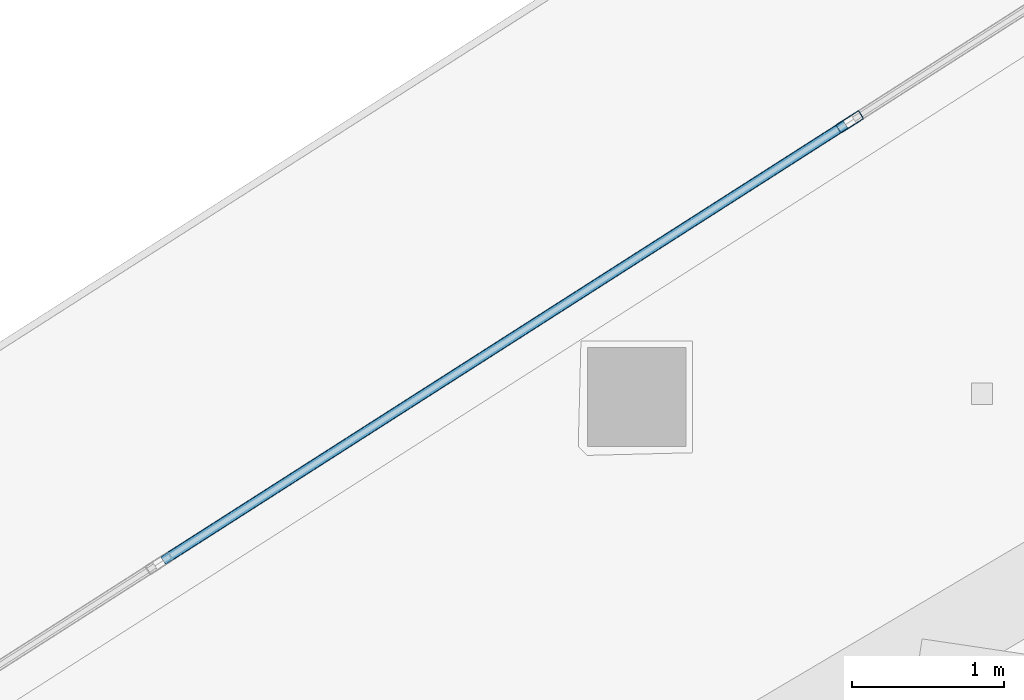
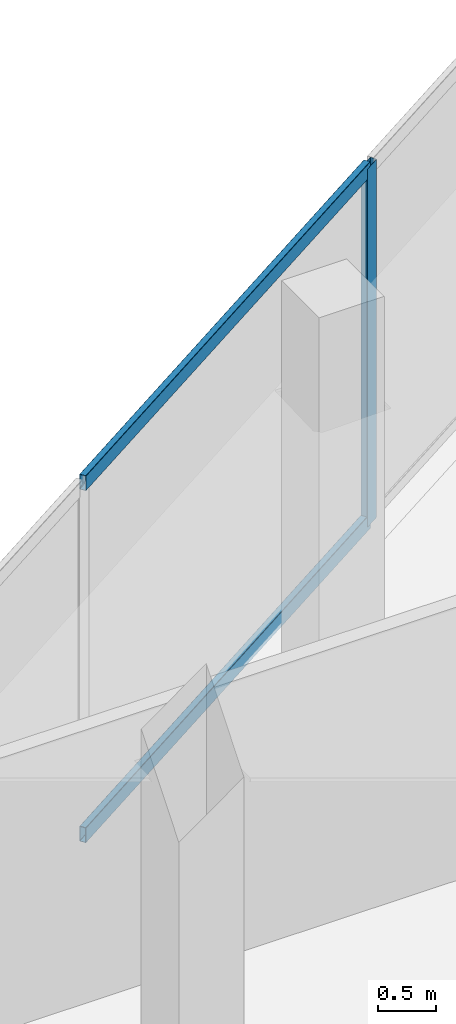
# One storey, part 13 of 38: 3 members, 1 element without a shape of its own.
"""IFC4 building model written with IfcOpenShell, lengths in metres."""

from ifc_helpers import new_model, si_unit, direction, frame, origin, origin_2d, place, context, subcontext, project, spatial, hollow_rectangle, extrude, material, layer, layer_set, material_profile, profile_set, type_object, element, aggregate, save


model = new_model("IFC4")

# Units and contexts
model_context = context("Model", 3, precision=1e-05, world=origin(), true_north=direction((0.0, 1.0)))
body_context = subcontext(model_context, "Body", "Model", "MODEL_VIEW")
ifc_project = project(units=[si_unit("LENGTHUNIT", "METRE"), si_unit("AREAUNIT", "SQUARE_METRE"), si_unit("VOLUMEUNIT", "CUBIC_METRE"), si_unit("PLANEANGLEUNIT", "RADIAN"), si_unit("MASSUNIT", "GRAM", prefix="KILO")], contexts=[model_context])

# Site, building, storey
site_placement = place(None, origin())
site = spatial("IfcSite", under=ifc_project, at=site_placement, CompositionType="ELEMENT")
building_placement = place(site_placement, origin())
building = spatial("IfcBuilding", under=site, at=building_placement, Name="Qorvath Tower", CompositionType="ELEMENT")
storey_placement = place(building_placement, frame((0.0, 0.0, 146.25)))
storey = spatial("IfcBuildingStorey", under=building, at=storey_placement, Name="L33", CompositionType="ELEMENT", Elevation=146.25)

# Curtain wall, members
ifc_material_1 = material(Name="Anodised aluminium and triple low-E glass", Category="aluminium")
ifc_layer = layer(ifc_material_1, 0.179931640625)
ifc_layer_set = layer_set([ifc_layer], Name="CW-SYS-3")
curtain_wall_type = type_object("IfcCurtainWallType", Name="CW-SYS-3", PredefinedType="NOTDEFINED", material=ifc_layer_set)
curtain_wall_placement = place(storey_placement, origin())
curtain_wall = element("IfcCurtainWall", 1, at=curtain_wall_placement, inside=storey, type_object=curtain_wall_type, Name="Curtain Wall CW-3 CW-T-L33-16.1", PredefinedType="NOTDEFINED")
ifc_material_2 = material(Name="Anodised aluminium 6063-T6", Category="aluminium")
ifc_material_profile_1 = material_profile(ifc_material_2, hollow_rectangle(XDim=0.06494140625, YDim=0.179931640625, WallThickness=0.00341796875, InnerFilletRadius=0.00341796875, OuterFilletRadius=0.007080078125, at=origin_2d()), Name="CWM 180x65")
ifc_profile_set_1 = profile_set([ifc_material_profile_1], Name="Anodised aluminium 6063-T6")
member_type_1 = type_object("IfcMemberType", Name="CWM-180", PredefinedType="MULLION", material=ifc_profile_set_1)
member_1_placement = place(storey_placement, frame((-43.332763671875, 12.465087890625, 0.0), z_axis=(0.0, 0.0, 1.0), x_axis=(0.53853296968, -0.842604438967, 0.0)))
member_1 = element("IfcMember", 2, at=member_1_placement, type_object=member_type_1, Name="CW-3 mullion 7", PredefinedType="MULLION", context=body_context, shape_type="SweptSolid", body=[
    extrude(hollow_rectangle(XDim=0.06494140625, YDim=0.179931640625, WallThickness=0.00341796875, InnerFilletRadius=0.00341796875, OuterFilletRadius=0.007080078125, at=origin_2d()), origin(), (0.0, 0.0, 1.0), 3.780029296875),
])
ifc_material_3 = material(Name="Anodised aluminium 6063-T6", Category="aluminium")
ifc_material_profile_2 = material_profile(ifc_material_3, hollow_rectangle(XDim=0.06494140625, YDim=0.159912109375, WallThickness=0.00341796875, InnerFilletRadius=0.00341796875, OuterFilletRadius=0.007080078125, at=origin_2d()), Name="CWT 160x65")
ifc_profile_set_2 = profile_set([ifc_material_profile_2], Name="Anodised aluminium 6063-T6")
member_type_2 = type_object("IfcMemberType", Name="CWT-160", PredefinedType="USERDEFINED", material=ifc_profile_set_2)
member_2_placement = place(storey_placement, frame((-43.360107421875, 12.44775390625, 0.032470703125), z_axis=(-0.842608601225, -0.538526457234, 0.0), x_axis=(0.538526457234, -0.842608601225, 0.0)))
member_2 = element("IfcMember", 3, at=member_2_placement, type_object=member_type_2, Name="CW-3 transom 7.1", ObjectType="TRANSOM", PredefinedType="USERDEFINED", context=body_context, shape_type="SweptSolid", body=[
    extrude(hollow_rectangle(XDim=0.06494140625, YDim=0.159912109375, WallThickness=0.00341796875, InnerFilletRadius=0.00341796875, OuterFilletRadius=0.007080078125, at=origin_2d()), origin(), (0.0, 0.0, 1.0), 5.3359375),
])
member_3_placement = place(storey_placement, frame((-43.360107421875, 12.44775390625, 3.74755859375), z_axis=(-0.842608601225, -0.538526457234, 0.0), x_axis=(0.538526457234, -0.842608601225, 0.0)))
member_3 = element("IfcMember", 4, at=member_3_placement, type_object=member_type_2, Name="CW-3 transom 7.2", ObjectType="TRANSOM", PredefinedType="USERDEFINED", context=body_context, shape_type="SweptSolid", body=[
    extrude(hollow_rectangle(XDim=0.06494140625, YDim=0.159912109375, WallThickness=0.00341796875, InnerFilletRadius=0.00341796875, OuterFilletRadius=0.007080078125, at=origin_2d()), origin(), (0.0, 0.0, 1.0), 5.3359375),
])
aggregate(curtain_wall, [member_1, member_2, member_3])

save(model, "model.ifc")
